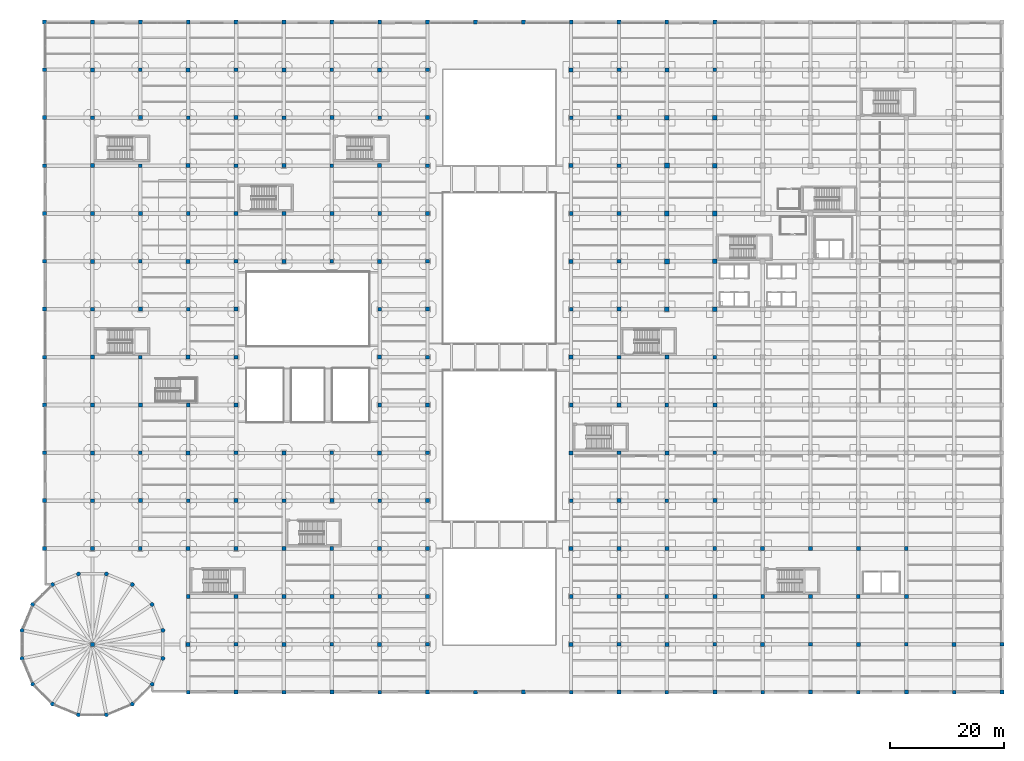
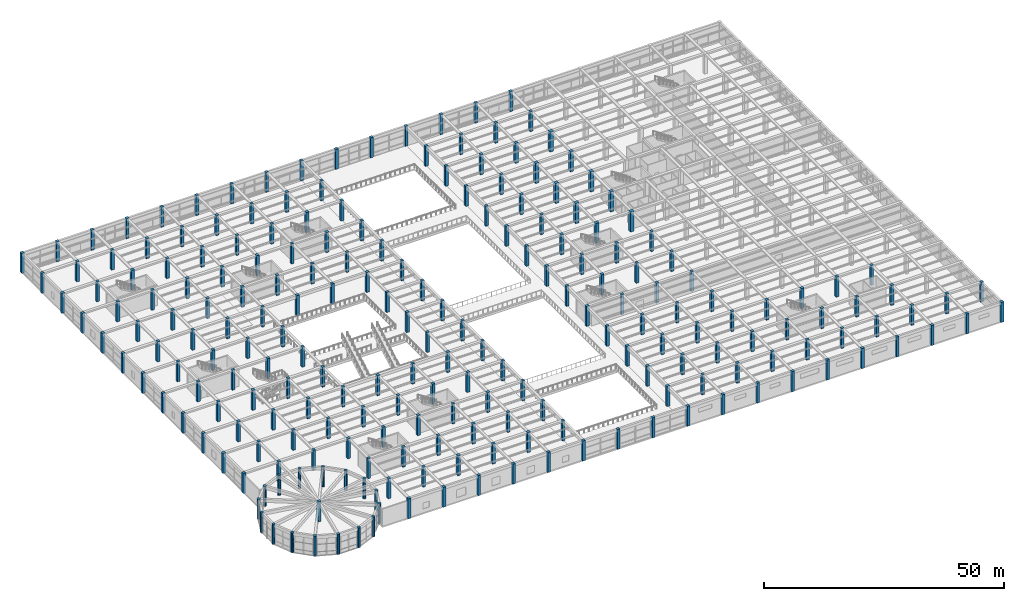
# One storey, part 1 of 95: 221 columns.
"""IFC4 building model written with IfcOpenShell, lengths in metres."""

from ifc_helpers import new_model, si_unit, direction, frame, origin, origin_2d, place, context, subcontext, project, spatial, rectangle, circle, extrude, material, material_profile, profile_set, type_object, element, save


model = new_model("IFC4")

# Units and contexts
model_context = context("Model", 3, precision=1e-05, world=origin(), true_north=direction((0.0, 1.0)))
body_context = subcontext(model_context, "Body", "Model", "MODEL_VIEW")
ifc_project = project(units=[si_unit("LENGTHUNIT", "METRE"), si_unit("AREAUNIT", "SQUARE_METRE"), si_unit("VOLUMEUNIT", "CUBIC_METRE"), si_unit("PLANEANGLEUNIT", "RADIAN"), si_unit("MASSUNIT", "GRAM", prefix="KILO")], contexts=[model_context])

# Site, building, storey
site_placement = place(None, origin())
site = spatial("IfcSite", under=ifc_project, at=site_placement, CompositionType="ELEMENT")
building_placement = place(site_placement, origin())
building = spatial("IfcBuilding", under=site, at=building_placement, Name="Almacenes y Pasaje Nevantli", CompositionType="ELEMENT")
storey_placement = place(building_placement, frame((0.0, 0.0, 11.39990234375)))
storey = spatial("IfcBuildingStorey", under=building, at=storey_placement, Name="L03", CompositionType="ELEMENT", Elevation=11.39990234375)

# Columns
ifc_material_1 = material(Name="Concrete C45/55", Category="concrete")
ifc_material_profile_1 = material_profile(ifc_material_1, rectangle(XDim=0.64990234375, YDim=0.64990234375, at=origin_2d()), Name="RC-COL-650x650")
ifc_profile_set_1 = profile_set([ifc_material_profile_1], Name="Concrete C45/55")
column_type_1 = type_object("IfcColumnType", Name="COL-RC-650", PredefinedType="COLUMN", material=ifc_profile_set_1)
for number, where, z_axis, x_axis, name in (
    (1, (0.0, 25.199951171875, 0.0), (0.0, 0.0, 1.0), (1.0, 0.0, 0.0), "L03 Reinforced Concrete Column CL-07 #1280"),
    (2, (0.0, 42.0, 0.0), (0.0, 0.0, 1.0), (1.0, 0.0, 0.0), "L03 Reinforced Concrete Column CL-07 #1282"),
    (3, (0.0, 58.800048828125, 0.0), (0.0, 0.0, 1.0), (1.0, 0.0, 0.0), "L03 Reinforced Concrete Column CL-07 #1284"),
    (4, (0.0, 75.60009765625, 0.0), (0.0, 0.0, 1.0), (1.0, 0.0, 0.0), "L03 Reinforced Concrete Column CL-07 #1286"),
    (5, (0.0, 92.39990234375, 0.0), (0.0, 0.0, 1.0), (1.0, 0.0, 0.0), "L03 Reinforced Concrete Column CL-07 #1288"),
    (6, (0.0, 109.199951171875, 0.0), (0.0, 0.0, 1.0), (1.0, 0.0, 0.0), "L03 Reinforced Concrete Column CL-07 #1290"),
    (7, (8.39990234375, 33.60009765625, 0.0), (0.0, 0.0, 1.0), (1.0, 0.0, 0.0), "L03 Reinforced Concrete Column CL-07 #1294"),
    (8, (8.39990234375, 50.39990234375, 0.0), (0.0, 0.0, 1.0), (1.0, 0.0, 0.0), "L03 Reinforced Concrete Column CL-07 #1296"),
    (9, (8.39990234375, 67.199951171875, 0.0), (0.0, 0.0, 1.0), (1.0, 0.0, 0.0), "L03 Reinforced Concrete Column CL-07 #1298"),
    (10, (8.39990234375, 84.0, 0.0), (0.0, 0.0, 1.0), (1.0, 0.0, 0.0), "L03 Reinforced Concrete Column CL-07 #1300"),
    (11, (8.39990234375, 100.800048828125, 0.0), (0.0, 0.0, 1.0), (1.0, 0.0, 0.0), "L03 Reinforced Concrete Column CL-07 #1302"),
    (12, (8.39990234375, 117.60009765625, 0.0), (0.0, 0.0, 1.0), (1.0, 0.0, 0.0), "L03 Reinforced Concrete Column CL-07 #1304"),
    (13, (16.800048828125, 25.199951171875, 0.0), (0.0, 0.0, 1.0), (1.0, 0.0, 0.0), "L03 Reinforced Concrete Column CL-07 #1305"),
    (14, (16.800048828125, 42.0, 0.0), (0.0, 0.0, 1.0), (1.0, 0.0, 0.0), "L03 Reinforced Concrete Column CL-07 #1307"),
    (15, (16.800048828125, 58.800048828125, 0.0), (0.0, 0.0, 1.0), (1.0, 0.0, 0.0), "L03 Reinforced Concrete Column CL-07 #1309"),
    (16, (16.800048828125, 75.60009765625, 0.0), (0.0, 0.0, 1.0), (1.0, 0.0, 0.0), "L03 Reinforced Concrete Column CL-07 #1311"),
    (17, (16.800048828125, 92.39990234375, 0.0), (0.0, 0.0, 1.0), (1.0, 0.0, 0.0), "L03 Reinforced Concrete Column CL-07 #1313"),
    (18, (16.800048828125, 109.199951171875, 0.0), (0.0, 0.0, 1.0), (1.0, 0.0, 0.0), "L03 Reinforced Concrete Column CL-07 #1315"),
    (19, (25.199951171875, 0.0, 0.0), (0.0, 0.0, 1.0), (1.0, 0.0, 0.0), "L03 Reinforced Concrete Column CL-07 #1317"),
    (20, (25.199951171875, 16.800048828125, 0.0), (0.0, 0.0, 1.0), (1.0, 0.0, 0.0), "L03 Reinforced Concrete Column CL-07 #1319"),
    (21, (25.199951171875, 33.60009765625, 0.0), (0.0, 0.0, 1.0), (1.0, 0.0, 0.0), "L03 Reinforced Concrete Column CL-07 #1321"),
    (22, (25.199951171875, 50.39990234375, 0.0), (0.0, 0.0, 1.0), (1.0, 0.0, 0.0), "L03 Reinforced Concrete Column CL-07 #1323"),
    (23, (25.199951171875, 67.199951171875, 0.0), (0.0, 0.0, 1.0), (1.0, 0.0, 0.0), "L03 Reinforced Concrete Column CL-07 #1325"),
    (24, (25.199951171875, 84.0, 0.0), (0.0, 0.0, 1.0), (1.0, 0.0, 0.0), "L03 Reinforced Concrete Column CL-07 #1327"),
    (25, (25.199951171875, 100.800048828125, 0.0), (0.0, 0.0, 1.0), (1.0, 0.0, 0.0), "L03 Reinforced Concrete Column CL-07 #1329"),
    (26, (25.199951171875, 117.60009765625, 0.0), (0.0, 0.0, 1.0), (1.0, 0.0, 0.0), "L03 Reinforced Concrete Column CL-07 #1331"),
    (27, (33.60009765625, 8.39990234375, 0.0), (0.0, 0.0, 1.0), (1.0, 0.0, 0.0), "L03 Reinforced Concrete Column CL-07 #1333"),
    (28, (33.60009765625, 25.199951171875, 0.0), (0.0, 0.0, 1.0), (1.0, 0.0, 0.0), "L03 Reinforced Concrete Column CL-07 #1335"),
    (29, (33.60009765625, 42.0, 0.0), (0.0, 0.0, 1.0), (1.0, 0.0, 0.0), "L03 Reinforced Concrete Column CL-07 #1337"),
    (30, (33.60009765625, 58.800048828125, 0.0), (0.0, 0.0, 1.0), (1.0, 0.0, 0.0), "L03 Reinforced Concrete Column CL-07 #1339"),
    (31, (33.60009765625, 75.60009765625, 0.0), (0.0, 0.0, 1.0), (1.0, 0.0, 0.0), "L03 Reinforced Concrete Column CL-07 #1341"),
    (32, (33.60009765625, 92.39990234375, 0.0), (0.0, 0.0, 1.0), (1.0, 0.0, 0.0), "L03 Reinforced Concrete Column CL-07 #1343"),
    (33, (33.60009765625, 109.199951171875, 0.0), (0.0, 0.0, 1.0), (1.0, 0.0, 0.0), "L03 Reinforced Concrete Column CL-07 #1345"),
    (34, (42.0, 0.0, 0.0), (0.0, 0.0, 1.0), (1.0, 0.0, 0.0), "L03 Reinforced Concrete Column CL-07 #1347"),
    (35, (42.0, 16.800048828125, 0.0), (0.0, 0.0, 1.0), (1.0, 0.0, 0.0), "L03 Reinforced Concrete Column CL-07 #1349"),
    (36, (42.0, 33.60009765625, 0.0), (0.0, 0.0, 1.0), (1.0, 0.0, 0.0), "L03 Reinforced Concrete Column CL-07 #1351"),
    (37, (42.0, 84.0, 0.0), (0.0, 0.0, 1.0), (1.0, 0.0, 0.0), "L03 Reinforced Concrete Column CL-07 #1354"),
    (38, (42.0, 100.800048828125, 0.0), (0.0, 0.0, 1.0), (1.0, 0.0, 0.0), "L03 Reinforced Concrete Column CL-07 #1356"),
    (39, (42.0, 117.60009765625, 0.0), (0.0, 0.0, 1.0), (1.0, 0.0, 0.0), "L03 Reinforced Concrete Column CL-07 #1358"),
    (40, (50.39990234375, 8.39990234375, 0.0), (0.0, 0.0, 1.0), (1.0, 0.0, 0.0), "L03 Reinforced Concrete Column CL-07 #1360"),
    (41, (50.39990234375, 25.199951171875, 0.0), (0.0, 0.0, 1.0), (1.0, 0.0, 0.0), "L03 Reinforced Concrete Column CL-07 #1362"),
    (42, (50.39990234375, 42.0, 0.0), (0.0, 0.0, 1.0), (1.0, 0.0, 0.0), "L03 Reinforced Concrete Column CL-07 #1364"),
    (43, (50.39990234375, 75.60009765625, 0.0), (0.0, 0.0, 1.0), (1.0, 0.0, 0.0), "L03 Reinforced Concrete Column CL-07 #1365"),
    (44, (50.39990234375, 92.39990234375, 0.0), (0.0, 0.0, 1.0), (1.0, 0.0, 0.0), "L03 Reinforced Concrete Column CL-07 #1367"),
    (45, (50.39990234375, 109.199951171875, 0.0), (0.0, 0.0, 1.0), (1.0, 0.0, 0.0), "L03 Reinforced Concrete Column CL-07 #1369"),
    (46, (58.800048828125, 0.0, 0.0), (0.0, 0.0, 1.0), (1.0, 0.0, 0.0), "L03 Reinforced Concrete Column CL-07 #1371"),
    (47, (58.800048828125, 16.800048828125, 0.0), (0.0, 0.0, 1.0), (1.0, 0.0, 0.0), "L03 Reinforced Concrete Column CL-07 #1373"),
    (48, (58.800048828125, 33.60009765625, 0.0), (0.0, 0.0, 1.0), (1.0, 0.0, 0.0), "L03 Reinforced Concrete Column CL-07 #1375"),
    (49, (58.800048828125, 50.39990234375, 0.0), (0.0, 0.0, 1.0), (1.0, 0.0, 0.0), "L03 Reinforced Concrete Column CL-07 #1377"),
    (50, (58.800048828125, 67.199951171875, 0.0), (0.0, 0.0, 1.0), (1.0, 0.0, 0.0), "L03 Reinforced Concrete Column CL-07 #1379"),
    (51, (58.800048828125, 84.0, 0.0), (0.0, 0.0, 1.0), (1.0, 0.0, 0.0), "L03 Reinforced Concrete Column CL-07 #1381"),
    (52, (58.800048828125, 100.800048828125, 0.0), (0.0, 0.0, 1.0), (1.0, 0.0, 0.0), "L03 Reinforced Concrete Column CL-07 #1383"),
    (53, (58.800048828125, 117.60009765625, 0.0), (0.0, 0.0, 1.0), (1.0, 0.0, 0.0), "L03 Reinforced Concrete Column CL-07 #1385"),
    (54, (67.199951171875, 8.39990234375, 0.0), (0.0, 0.0, 1.0), (1.0, 0.0, 0.0), "L03 Reinforced Concrete Column CL-07 #1387"),
    (55, (67.199951171875, 25.199951171875, 0.0), (0.0, 0.0, 1.0), (1.0, 0.0, 0.0), "L03 Reinforced Concrete Column CL-07 #1389"),
    (56, (67.199951171875, 42.0, 0.0), (0.0, 0.0, 1.0), (1.0, 0.0, 0.0), "L03 Reinforced Concrete Column CL-07 #1391"),
    (57, (67.199951171875, 58.800048828125, 0.0), (0.0, 0.0, 1.0), (1.0, 0.0, 0.0), "L03 Reinforced Concrete Column CL-07 #1393"),
    (58, (67.199951171875, 75.60009765625, 0.0), (0.0, 0.0, 1.0), (1.0, 0.0, 0.0), "L03 Reinforced Concrete Column CL-07 #1395"),
    (59, (67.199951171875, 92.39990234375, 0.0), (0.0, 0.0, 1.0), (1.0, 0.0, 0.0), "L03 Reinforced Concrete Column CL-07 #1397"),
    (60, (67.199951171875, 109.199951171875, 0.0), (0.0, 0.0, 1.0), (1.0, 0.0, 0.0), "L03 Reinforced Concrete Column CL-07 #1399"),
    (61, (75.60009765625, 0.0, 0.0), (0.0, 0.0, 1.0), (1.0, 0.0, 0.0), "L03 Reinforced Concrete Column CL-07 #1401"),
    (62, (75.60009765625, 117.60009765625, 0.0), (0.0, 0.0, 1.0), (1.0, 0.0, 0.0), "L03 Reinforced Concrete Column CL-07 #1402"),
    (63, (92.39990234375, 0.0, 0.0), (0.0, 0.0, 1.0), (1.0, 0.0, 0.0), "L03 Reinforced Concrete Column CL-07 #1405"),
    (64, (92.39990234375, 16.800048828125, 0.0), (0.0, 0.0, 1.0), (1.0, 0.0, 0.0), "L03 Reinforced Concrete Column CL-07 #1407"),
    (65, (92.39990234375, 33.60009765625, 0.0), (0.0, 0.0, 1.0), (1.0, 0.0, 0.0), "L03 Reinforced Concrete Column CL-07 #1409"),
    (66, (92.39990234375, 50.39990234375, 0.0), (0.0, 0.0, 1.0), (1.0, 0.0, 0.0), "L03 Reinforced Concrete Column CL-07 #1411"),
    (67, (92.39990234375, 67.199951171875, 0.0), (0.0, 0.0, 1.0), (1.0, 0.0, 0.0), "L03 Reinforced Concrete Column CL-07 #1413"),
    (68, (92.39990234375, 84.0, 0.0), (0.0, 0.0, 1.0), (1.0, 0.0, 0.0), "L03 Reinforced Concrete Column CL-07 #1415"),
    (69, (92.39990234375, 100.800048828125, 0.0), (0.0, 0.0, 1.0), (1.0, 0.0, 0.0), "L03 Reinforced Concrete Column CL-07 #1417"),
    (70, (92.39990234375, 117.60009765625, 0.0), (0.0, 0.0, 1.0), (1.0, 0.0, 0.0), "L03 Reinforced Concrete Column CL-07 #1419"),
    (71, (100.800048828125, 8.39990234375, 0.0), (0.0, 0.0, 1.0), (1.0, 0.0, 0.0), "L03 Reinforced Concrete Column CL-07 #1421"),
    (72, (100.800048828125, 25.199951171875, 0.0), (0.0, 0.0, 1.0), (1.0, 0.0, 0.0), "L03 Reinforced Concrete Column CL-07 #1423"),
    (73, (100.800048828125, 42.0, 0.0), (0.0, 0.0, 1.0), (1.0, 0.0, 0.0), "L03 Reinforced Concrete Column CL-07 #1425"),
    (74, (100.800048828125, 58.800048828125, 0.0), (0.0, 0.0, 1.0), (1.0, 0.0, 0.0), "L03 Reinforced Concrete Column CL-07 #1427"),
    (75, (100.800048828125, 75.60009765625, 0.0), (0.0, 0.0, 1.0), (1.0, 0.0, 0.0), "L03 Reinforced Concrete Column CL-07 #1429"),
    (76, (100.800048828125, 92.39990234375, 0.0), (0.0, 0.0, 1.0), (1.0, 0.0, 0.0), "L03 Reinforced Concrete Column CL-07 #1431"),
    (77, (100.800048828125, 109.199951171875, 0.0), (0.0, 0.0, 1.0), (1.0, 0.0, 0.0), "L03 Reinforced Concrete Column CL-07 #1433"),
    (78, (109.199951171875, 0.0, 0.0), (0.0, 0.0, 1.0), (1.0, 0.0, 0.0), "L03 Reinforced Concrete Column CL-07 #1435"),
    (79, (109.199951171875, 16.800048828125, 0.0), (0.0, 0.0, 1.0), (1.0, 0.0, 0.0), "L03 Reinforced Concrete Column CL-07 #1437"),
    (80, (109.199951171875, 33.60009765625, 0.0), (0.0, 0.0, 1.0), (1.0, 0.0, 0.0), "L03 Reinforced Concrete Column CL-07 #1439"),
    (81, (109.199951171875, 50.39990234375, 0.0), (0.0, 0.0, 1.0), (1.0, 0.0, 0.0), "L03 Reinforced Concrete Column CL-07 #1441"),
    (82, (109.199951171875, 117.60009765625, 0.0), (0.0, 0.0, 1.0), (1.0, 0.0, 0.0), "L03 Reinforced Concrete Column CL-07 #1449"),
    (83, (117.60009765625, 8.39990234375, 0.0), (0.0, 0.0, 1.0), (1.0, 0.0, 0.0), "L03 Reinforced Concrete Column CL-07 #1451"),
    (84, (117.60009765625, 25.199951171875, 0.0), (0.0, 0.0, 1.0), (1.0, 0.0, 0.0), "L03 Reinforced Concrete Column CL-07 #1453"),
    (85, (117.60009765625, 42.0, 0.0), (0.0, 0.0, 1.0), (1.0, 0.0, 0.0), "L03 Reinforced Concrete Column CL-07 #1455"),
    (86, (117.60009765625, 58.800048828125, 0.0), (0.0, 0.0, 1.0), (1.0, 0.0, 0.0), "L03 Reinforced Concrete Column CL-07 #1457"),
    (87, (117.60009765625, 109.199951171875, 0.0), (0.0, 0.0, 1.0), (1.0, 0.0, 0.0), "L03 Reinforced Concrete Column CL-07 #1463"),
    (88, (126.0, 0.0, 0.0), (0.0, 0.0, 1.0), (1.0, 0.0, 0.0), "L03 Reinforced Concrete Column CL-07 #1465"),
    (89, (126.0, 16.800048828125, 0.0), (0.0, 0.0, 1.0), (1.0, 0.0, 0.0), "L03 Reinforced Concrete Column CL-07 #1467"),
    (90, (134.39990234375, 8.39990234375, 0.0), (0.0, 0.0, 1.0), (1.0, 0.0, 0.0), "L03 Reinforced Concrete Column CL-07 #1481"),
    (91, (134.39990234375, 25.199951171875, 0.0), (0.0, 0.0, 1.0), (1.0, 0.0, 0.0), "L03 Reinforced Concrete Column CL-07 #1483"),
    (92, (142.800048828125, 0.0, 0.0), (0.0, 0.0, 1.0), (1.0, 0.0, 0.0), "L03 Reinforced Concrete Column CL-07 #1495"),
    (93, (142.800048828125, 16.800048828125, 0.0), (0.0, 0.0, 1.0), (1.0, 0.0, 0.0), "L03 Reinforced Concrete Column CL-07 #1497"),
    (94, (151.199951171875, 8.39990234375, 0.0), (0.0, 0.0, 1.0), (1.0, 0.0, 0.0), "L03 Reinforced Concrete Column CL-07 #1511"),
    (95, (151.199951171875, 25.199951171875, 0.0), (0.0, 0.0, 1.0), (1.0, 0.0, 0.0), "L03 Reinforced Concrete Column CL-07 #1513"),
    (96, (159.60009765625, 0.0, 0.0), (0.0, 0.0, 1.0), (1.0, 0.0, 0.0), "L03 Reinforced Concrete Column CL-07 #1525"),
    (97, (168.0, 8.39990234375, 0.0), (0.0, 0.0, 1.0), (1.0, 0.0, 0.0), "L03 Reinforced Concrete Column CL-07 #1541"),
):
    element("IfcColumn", number, at=place(storey_placement, frame(where, z_axis=z_axis, x_axis=x_axis)), inside=storey, type_object=column_type_1, Name=name, PredefinedType="COLUMN", context=body_context, shape_type="SweptSolid", body=[
        extrude(rectangle(XDim=0.64990234375, YDim=0.64990234375, at=origin_2d()), origin(), (0.0, 0.0, 1.0), 5.10009765625),
    ])
ifc_material_2 = material(Name="Concrete C45/55", Category="concrete")
ifc_material_profile_2 = material_profile(ifc_material_2, rectangle(XDim=0.699951171875, YDim=0.699951171875, at=origin_2d()), Name="RC-COL-700x700")
ifc_profile_set_2 = profile_set([ifc_material_profile_2], Name="Concrete C45/55")
column_type_2 = type_object("IfcColumnType", Name="COL-RC-700", PredefinedType="COLUMN", material=ifc_profile_set_2)
for number, where, z_axis, x_axis, name in (
    (98, (0.0, 33.60009765625, 0.0), (0.0, 0.0, 1.0), (1.0, 0.0, 0.0), "L03 Reinforced Concrete Column CL-06 #1281"),
    (99, (0.0, 50.39990234375, 0.0), (0.0, 0.0, 1.0), (1.0, 0.0, 0.0), "L03 Reinforced Concrete Column CL-06 #1283"),
    (100, (0.0, 67.199951171875, 0.0), (0.0, 0.0, 1.0), (1.0, 0.0, 0.0), "L03 Reinforced Concrete Column CL-06 #1285"),
    (101, (0.0, 84.0, 0.0), (0.0, 0.0, 1.0), (1.0, 0.0, 0.0), "L03 Reinforced Concrete Column CL-06 #1287"),
    (102, (0.0, 100.800048828125, 0.0), (0.0, 0.0, 1.0), (1.0, 0.0, 0.0), "L03 Reinforced Concrete Column CL-06 #1289"),
    (103, (0.0, 117.60009765625, 0.0), (0.0, 0.0, 1.0), (1.0, 0.0, 0.0), "L03 Reinforced Concrete Column CL-06 #1291"),
    (104, (8.39990234375, 8.39990234375, 0.0), (0.0, 0.0, 1.0), (1.0, 0.0, 0.0), "L03 Reinforced Concrete Column CL-06 #1292"),
    (105, (8.39990234375, 25.199951171875, 0.0), (0.0, 0.0, 1.0), (1.0, 0.0, 0.0), "L03 Reinforced Concrete Column CL-06 #1293"),
    (106, (8.39990234375, 42.0, 0.0), (0.0, 0.0, 1.0), (1.0, 0.0, 0.0), "L03 Reinforced Concrete Column CL-06 #1295"),
    (107, (8.39990234375, 58.800048828125, 0.0), (0.0, 0.0, 1.0), (1.0, 0.0, 0.0), "L03 Reinforced Concrete Column CL-06 #1297"),
    (108, (8.39990234375, 75.60009765625, 0.0), (0.0, 0.0, 1.0), (1.0, 0.0, 0.0), "L03 Reinforced Concrete Column CL-06 #1299"),
    (109, (8.39990234375, 92.39990234375, 0.0), (0.0, 0.0, 1.0), (1.0, 0.0, 0.0), "L03 Reinforced Concrete Column CL-06 #1301"),
    (110, (8.39990234375, 109.199951171875, 0.0), (0.0, 0.0, 1.0), (1.0, 0.0, 0.0), "L03 Reinforced Concrete Column CL-06 #1303"),
    (111, (16.800048828125, 33.60009765625, 0.0), (0.0, 0.0, 1.0), (1.0, 0.0, 0.0), "L03 Reinforced Concrete Column CL-06 #1306"),
    (112, (16.800048828125, 50.39990234375, 0.0), (0.0, 0.0, 1.0), (1.0, 0.0, 0.0), "L03 Reinforced Concrete Column CL-06 #1308"),
    (113, (16.800048828125, 67.199951171875, 0.0), (0.0, 0.0, 1.0), (1.0, 0.0, 0.0), "L03 Reinforced Concrete Column CL-06 #1310"),
    (114, (16.800048828125, 84.0, 0.0), (0.0, 0.0, 1.0), (1.0, 0.0, 0.0), "L03 Reinforced Concrete Column CL-06 #1312"),
    (115, (16.800048828125, 100.800048828125, 0.0), (0.0, 0.0, 1.0), (1.0, 0.0, 0.0), "L03 Reinforced Concrete Column CL-06 #1314"),
    (116, (16.800048828125, 117.60009765625, 0.0), (0.0, 0.0, 1.0), (1.0, 0.0, 0.0), "L03 Reinforced Concrete Column CL-06 #1316"),
    (117, (25.199951171875, 8.39990234375, 0.0), (0.0, 0.0, 1.0), (1.0, 0.0, 0.0), "L03 Reinforced Concrete Column CL-06 #1318"),
    (118, (25.199951171875, 25.199951171875, 0.0), (0.0, 0.0, 1.0), (1.0, 0.0, 0.0), "L03 Reinforced Concrete Column CL-06 #1320"),
    (119, (25.199951171875, 42.0, 0.0), (0.0, 0.0, 1.0), (1.0, 0.0, 0.0), "L03 Reinforced Concrete Column CL-06 #1322"),
    (120, (25.199951171875, 58.800048828125, 0.0), (0.0, 0.0, 1.0), (1.0, 0.0, 0.0), "L03 Reinforced Concrete Column CL-06 #1324"),
    (121, (25.199951171875, 75.60009765625, 0.0), (0.0, 0.0, 1.0), (1.0, 0.0, 0.0), "L03 Reinforced Concrete Column CL-06 #1326"),
    (122, (25.199951171875, 92.39990234375, 0.0), (0.0, 0.0, 1.0), (1.0, 0.0, 0.0), "L03 Reinforced Concrete Column CL-06 #1328"),
    (123, (25.199951171875, 109.199951171875, 0.0), (0.0, 0.0, 1.0), (1.0, 0.0, 0.0), "L03 Reinforced Concrete Column CL-06 #1330"),
    (124, (33.60009765625, 0.0, 0.0), (0.0, 0.0, 1.0), (1.0, 0.0, 0.0), "L03 Reinforced Concrete Column CL-06 #1332"),
    (125, (33.60009765625, 16.800048828125, 0.0), (0.0, 0.0, 1.0), (1.0, 0.0, 0.0), "L03 Reinforced Concrete Column CL-06 #1334"),
    (126, (33.60009765625, 33.60009765625, 0.0), (0.0, 0.0, 1.0), (1.0, 0.0, 0.0), "L03 Reinforced Concrete Column CL-06 #1336"),
    (127, (33.60009765625, 50.39990234375, 0.0), (0.0, 0.0, 1.0), (1.0, 0.0, 0.0), "L03 Reinforced Concrete Column CL-06 #1338"),
    (128, (33.60009765625, 67.199951171875, 0.0), (0.0, 0.0, 1.0), (1.0, 0.0, 0.0), "L03 Reinforced Concrete Column CL-06 #1340"),
    (129, (33.60009765625, 84.0, 0.0), (0.0, 0.0, 1.0), (1.0, 0.0, 0.0), "L03 Reinforced Concrete Column CL-06 #1342"),
    (130, (33.60009765625, 100.800048828125, 0.0), (0.0, 0.0, 1.0), (1.0, 0.0, 0.0), "L03 Reinforced Concrete Column CL-06 #1344"),
    (131, (33.60009765625, 117.60009765625, 0.0), (0.0, 0.0, 1.0), (1.0, 0.0, 0.0), "L03 Reinforced Concrete Column CL-06 #1346"),
    (132, (42.0, 8.39990234375, 0.0), (0.0, 0.0, 1.0), (1.0, 0.0, 0.0), "L03 Reinforced Concrete Column CL-06 #1348"),
    (133, (42.0, 25.199951171875, 0.0), (0.0, 0.0, 1.0), (1.0, 0.0, 0.0), "L03 Reinforced Concrete Column CL-06 #1350"),
    (134, (42.0, 42.0, 0.0), (0.0, 0.0, 1.0), (1.0, 0.0, 0.0), "L03 Reinforced Concrete Column CL-06 #1352"),
    (135, (42.0, 75.60009765625, 0.0), (0.0, 0.0, 1.0), (1.0, 0.0, 0.0), "L03 Reinforced Concrete Column CL-06 #1353"),
    (136, (42.0, 92.39990234375, 0.0), (0.0, 0.0, 1.0), (1.0, 0.0, 0.0), "L03 Reinforced Concrete Column CL-06 #1355"),
    (137, (42.0, 109.199951171875, 0.0), (0.0, 0.0, 1.0), (1.0, 0.0, 0.0), "L03 Reinforced Concrete Column CL-06 #1357"),
    (138, (50.39990234375, 0.0, 0.0), (0.0, 0.0, 1.0), (1.0, 0.0, 0.0), "L03 Reinforced Concrete Column CL-06 #1359"),
    (139, (50.39990234375, 16.800048828125, 0.0), (0.0, 0.0, 1.0), (1.0, 0.0, 0.0), "L03 Reinforced Concrete Column CL-06 #1361"),
    (140, (50.39990234375, 33.60009765625, 0.0), (0.0, 0.0, 1.0), (1.0, 0.0, 0.0), "L03 Reinforced Concrete Column CL-06 #1363"),
    (141, (50.39990234375, 84.0, 0.0), (0.0, 0.0, 1.0), (1.0, 0.0, 0.0), "L03 Reinforced Concrete Column CL-06 #1366"),
    (142, (50.39990234375, 100.800048828125, 0.0), (0.0, 0.0, 1.0), (1.0, 0.0, 0.0), "L03 Reinforced Concrete Column CL-06 #1368"),
    (143, (50.39990234375, 117.60009765625, 0.0), (0.0, 0.0, 1.0), (1.0, 0.0, 0.0), "L03 Reinforced Concrete Column CL-06 #1370"),
    (144, (58.800048828125, 8.39990234375, 0.0), (0.0, 0.0, 1.0), (1.0, 0.0, 0.0), "L03 Reinforced Concrete Column CL-06 #1372"),
    (145, (58.800048828125, 25.199951171875, 0.0), (0.0, 0.0, 1.0), (1.0, 0.0, 0.0), "L03 Reinforced Concrete Column CL-06 #1374"),
    (146, (58.800048828125, 42.0, 0.0), (0.0, 0.0, 1.0), (1.0, 0.0, 0.0), "L03 Reinforced Concrete Column CL-06 #1376"),
    (147, (58.800048828125, 58.800048828125, 0.0), (0.0, 0.0, 1.0), (1.0, 0.0, 0.0), "L03 Reinforced Concrete Column CL-06 #1378"),
    (148, (58.800048828125, 75.60009765625, 0.0), (0.0, 0.0, 1.0), (1.0, 0.0, 0.0), "L03 Reinforced Concrete Column CL-06 #1380"),
    (149, (58.800048828125, 92.39990234375, 0.0), (0.0, 0.0, 1.0), (1.0, 0.0, 0.0), "L03 Reinforced Concrete Column CL-06 #1382"),
    (150, (58.800048828125, 109.199951171875, 0.0), (0.0, 0.0, 1.0), (1.0, 0.0, 0.0), "L03 Reinforced Concrete Column CL-06 #1384"),
    (151, (67.199951171875, 0.0, 0.0), (0.0, 0.0, 1.0), (1.0, 0.0, 0.0), "L03 Reinforced Concrete Column CL-06 #1386"),
    (152, (67.199951171875, 16.800048828125, 0.0), (0.0, 0.0, 1.0), (1.0, 0.0, 0.0), "L03 Reinforced Concrete Column CL-06 #1388"),
    (153, (67.199951171875, 33.60009765625, 0.0), (0.0, 0.0, 1.0), (1.0, 0.0, 0.0), "L03 Reinforced Concrete Column CL-06 #1390"),
    (154, (67.199951171875, 50.39990234375, 0.0), (0.0, 0.0, 1.0), (1.0, 0.0, 0.0), "L03 Reinforced Concrete Column CL-06 #1392"),
    (155, (67.199951171875, 67.199951171875, 0.0), (0.0, 0.0, 1.0), (1.0, 0.0, 0.0), "L03 Reinforced Concrete Column CL-06 #1394"),
    (156, (67.199951171875, 84.0, 0.0), (0.0, 0.0, 1.0), (1.0, 0.0, 0.0), "L03 Reinforced Concrete Column CL-06 #1396"),
    (157, (67.199951171875, 100.800048828125, 0.0), (0.0, 0.0, 1.0), (1.0, 0.0, 0.0), "L03 Reinforced Concrete Column CL-06 #1398"),
    (158, (67.199951171875, 117.60009765625, 0.0), (0.0, 0.0, 1.0), (1.0, 0.0, 0.0), "L03 Reinforced Concrete Column CL-06 #1400"),
    (159, (84.0, 0.0, 0.0), (0.0, 0.0, 1.0), (1.0, 0.0, 0.0), "L03 Reinforced Concrete Column CL-06 #1403"),
    (160, (84.0, 117.60009765625, 0.0), (0.0, 0.0, 1.0), (1.0, 0.0, 0.0), "L03 Reinforced Concrete Column CL-06 #1404"),
    (161, (92.39990234375, 8.39990234375, 0.0), (0.0, 0.0, 1.0), (1.0, 0.0, 0.0), "L03 Reinforced Concrete Column CL-06 #1406"),
    (162, (92.39990234375, 25.199951171875, 0.0), (0.0, 0.0, 1.0), (1.0, 0.0, 0.0), "L03 Reinforced Concrete Column CL-06 #1408"),
    (163, (92.39990234375, 42.0, 0.0), (0.0, 0.0, 1.0), (1.0, 0.0, 0.0), "L03 Reinforced Concrete Column CL-06 #1410"),
    (164, (92.39990234375, 58.800048828125, 0.0), (0.0, 0.0, 1.0), (1.0, 0.0, 0.0), "L03 Reinforced Concrete Column CL-06 #1412"),
    (165, (92.39990234375, 75.60009765625, 0.0), (0.0, 0.0, 1.0), (1.0, 0.0, 0.0), "L03 Reinforced Concrete Column CL-06 #1414"),
    (166, (92.39990234375, 92.39990234375, 0.0), (0.0, 0.0, 1.0), (1.0, 0.0, 0.0), "L03 Reinforced Concrete Column CL-06 #1416"),
    (167, (92.39990234375, 109.199951171875, 0.0), (0.0, 0.0, 1.0), (1.0, 0.0, 0.0), "L03 Reinforced Concrete Column CL-06 #1418"),
    (168, (100.800048828125, 0.0, 0.0), (0.0, 0.0, 1.0), (1.0, 0.0, 0.0), "L03 Reinforced Concrete Column CL-06 #1420"),
    (169, (100.800048828125, 16.800048828125, 0.0), (0.0, 0.0, 1.0), (1.0, 0.0, 0.0), "L03 Reinforced Concrete Column CL-06 #1422"),
    (170, (100.800048828125, 33.60009765625, 0.0), (0.0, 0.0, 1.0), (1.0, 0.0, 0.0), "L03 Reinforced Concrete Column CL-06 #1424"),
    (171, (100.800048828125, 50.39990234375, 0.0), (0.0, 0.0, 1.0), (1.0, 0.0, 0.0), "L03 Reinforced Concrete Column CL-06 #1426"),
    (172, (100.800048828125, 67.199951171875, 0.0), (0.0, 0.0, 1.0), (1.0, 0.0, 0.0), "L03 Reinforced Concrete Column CL-06 #1428"),
    (173, (100.800048828125, 84.0, 0.0), (0.0, 0.0, 1.0), (1.0, 0.0, 0.0), "L03 Reinforced Concrete Column CL-06 #1430"),
    (174, (100.800048828125, 100.800048828125, 0.0), (0.0, 0.0, 1.0), (1.0, 0.0, 0.0), "L03 Reinforced Concrete Column CL-06 #1432"),
    (175, (100.800048828125, 117.60009765625, 0.0), (0.0, 0.0, 1.0), (1.0, 0.0, 0.0), "L03 Reinforced Concrete Column CL-06 #1434"),
    (176, (109.199951171875, 8.39990234375, 0.0), (0.0, 0.0, 1.0), (1.0, 0.0, 0.0), "L03 Reinforced Concrete Column CL-06 #1436"),
    (177, (109.199951171875, 25.199951171875, 0.0), (0.0, 0.0, 1.0), (1.0, 0.0, 0.0), "L03 Reinforced Concrete Column CL-06 #1438"),
    (178, (109.199951171875, 42.0, 0.0), (0.0, 0.0, 1.0), (1.0, 0.0, 0.0), "L03 Reinforced Concrete Column CL-06 #1440"),
    (179, (109.199951171875, 58.800048828125, 0.0), (0.0, 0.0, 1.0), (1.0, 0.0, 0.0), "L03 Reinforced Concrete Column CL-06 #1442"),
    (180, (109.199951171875, 109.199951171875, 0.0), (0.0, 0.0, 1.0), (1.0, 0.0, 0.0), "L03 Reinforced Concrete Column CL-06 #1448"),
    (181, (117.60009765625, 0.0, 0.0), (0.0, 0.0, 1.0), (1.0, 0.0, 0.0), "L03 Reinforced Concrete Column CL-06 #1450"),
    (182, (117.60009765625, 16.800048828125, 0.0), (0.0, 0.0, 1.0), (1.0, 0.0, 0.0), "L03 Reinforced Concrete Column CL-06 #1452"),
    (183, (117.60009765625, 33.60009765625, 0.0), (0.0, 0.0, 1.0), (1.0, 0.0, 0.0), "L03 Reinforced Concrete Column CL-06 #1454"),
    (184, (117.60009765625, 50.39990234375, 0.0), (0.0, 0.0, 1.0), (1.0, 0.0, 0.0), "L03 Reinforced Concrete Column CL-06 #1456"),
    (185, (117.60009765625, 117.60009765625, 0.0), (0.0, 0.0, 1.0), (1.0, 0.0, 0.0), "L03 Reinforced Concrete Column CL-06 #1464"),
    (186, (126.0, 8.39990234375, 0.0), (0.0, 0.0, 1.0), (1.0, 0.0, 0.0), "L03 Reinforced Concrete Column CL-06 #1466"),
    (187, (126.0, 25.199951171875, 0.0), (0.0, 0.0, 1.0), (1.0, 0.0, 0.0), "L03 Reinforced Concrete Column CL-06 #1468"),
    (188, (134.39990234375, 0.0, 0.0), (0.0, 0.0, 1.0), (1.0, 0.0, 0.0), "L03 Reinforced Concrete Column CL-06 #1480"),
    (189, (134.39990234375, 16.800048828125, 0.0), (0.0, 0.0, 1.0), (1.0, 0.0, 0.0), "L03 Reinforced Concrete Column CL-06 #1482"),
    (190, (142.800048828125, 8.39990234375, 0.0), (0.0, 0.0, 1.0), (1.0, 0.0, 0.0), "L03 Reinforced Concrete Column CL-06 #1496"),
    (191, (142.800048828125, 25.199951171875, 0.0), (0.0, 0.0, 1.0), (1.0, 0.0, 0.0), "L03 Reinforced Concrete Column CL-06 #1498"),
    (192, (151.199951171875, 0.0, 0.0), (0.0, 0.0, 1.0), (1.0, 0.0, 0.0), "L03 Reinforced Concrete Column CL-06 #1510"),
    (193, (151.199951171875, 16.800048828125, 0.0), (0.0, 0.0, 1.0), (1.0, 0.0, 0.0), "L03 Reinforced Concrete Column CL-06 #1512"),
    (194, (159.60009765625, 8.39990234375, 0.0), (0.0, 0.0, 1.0), (1.0, 0.0, 0.0), "L03 Reinforced Concrete Column CL-06 #1526"),
    (195, (168.0, 0.0, 0.0), (0.0, 0.0, 1.0), (1.0, 0.0, 0.0), "L03 Reinforced Concrete Column CL-06 #1540"),
):
    element("IfcColumn", number, at=place(storey_placement, frame(where, z_axis=z_axis, x_axis=x_axis)), inside=storey, type_object=column_type_2, Name=name, PredefinedType="COLUMN", context=body_context, shape_type="SweptSolid", body=[
        extrude(rectangle(XDim=0.699951171875, YDim=0.699951171875, at=origin_2d()), origin(), (0.0, 0.0, 1.0), 5.10009765625),
    ])
ifc_material_3 = material(Name="Concrete C45/55", Category="concrete")
ifc_material_profile_3 = material_profile(ifc_material_3, rectangle(XDim=0.800048828125, YDim=0.800048828125, at=origin_2d()), Name="RC-COL-800x800")
ifc_profile_set_3 = profile_set([ifc_material_profile_3], Name="Concrete C45/55")
column_type_3 = type_object("IfcColumnType", Name="COL-RC-800", PredefinedType="COLUMN", material=ifc_profile_set_3)
for number, where, z_axis, x_axis, name in (
    (196, (109.199951171875, 67.199951171875, 0.0), (0.0, 0.0, 1.0), (1.0, 0.0, 0.0), "L03 Reinforced Concrete Column CL-04 #1443"),
    (197, (109.199951171875, 84.0, 0.0), (0.0, 0.0, 1.0), (1.0, 0.0, 0.0), "L03 Reinforced Concrete Column CL-04 #1445"),
    (198, (109.199951171875, 100.800048828125, 0.0), (0.0, 0.0, 1.0), (1.0, 0.0, 0.0), "L03 Reinforced Concrete Column CL-04 #1447"),
    (199, (117.60009765625, 75.60009765625, 0.0), (0.0, 0.0, 1.0), (1.0, 0.0, 0.0), "L03 Reinforced Concrete Column CL-04 #1459"),
    (200, (117.60009765625, 92.39990234375, 0.0), (0.0, 0.0, 1.0), (1.0, 0.0, 0.0), "L03 Reinforced Concrete Column CL-04 #1461"),
):
    element("IfcColumn", number, at=place(storey_placement, frame(where, z_axis=z_axis, x_axis=x_axis)), inside=storey, type_object=column_type_3, Name=name, PredefinedType="COLUMN", context=body_context, shape_type="SweptSolid", body=[
        extrude(rectangle(XDim=0.800048828125, YDim=0.800048828125, at=origin_2d()), origin(), (0.0, 0.0, 1.0), 5.10009765625),
    ])
ifc_material_4 = material(Name="Concrete C45/55", Category="concrete")
ifc_material_profile_4 = material_profile(ifc_material_4, rectangle(XDim=0.85009765625, YDim=0.85009765625, at=origin_2d()), Name="RC-COL-850x850")
ifc_profile_set_4 = profile_set([ifc_material_profile_4], Name="Concrete C45/55")
column_type_4 = type_object("IfcColumnType", Name="COL-RC-850", PredefinedType="COLUMN", material=ifc_profile_set_4)
for number, where, z_axis, x_axis, name in (
    (201, (109.199951171875, 75.60009765625, 0.0), (0.0, 0.0, 1.0), (1.0, 0.0, 0.0), "L03 Reinforced Concrete Column CL-03 #1444"),
    (202, (109.199951171875, 92.39990234375, 0.0), (0.0, 0.0, 1.0), (1.0, 0.0, 0.0), "L03 Reinforced Concrete Column CL-03 #1446"),
    (203, (117.60009765625, 67.199951171875, 0.0), (0.0, 0.0, 1.0), (1.0, 0.0, 0.0), "L03 Reinforced Concrete Column CL-03 #1458"),
    (204, (117.60009765625, 84.0, 0.0), (0.0, 0.0, 1.0), (1.0, 0.0, 0.0), "L03 Reinforced Concrete Column CL-03 #1460"),
    (205, (117.60009765625, 100.800048828125, 0.0), (0.0, 0.0, 1.0), (1.0, 0.0, 0.0), "L03 Reinforced Concrete Column CL-03 #1462"),
):
    element("IfcColumn", number, at=place(storey_placement, frame(where, z_axis=z_axis, x_axis=x_axis)), inside=storey, type_object=column_type_4, Name=name, PredefinedType="COLUMN", context=body_context, shape_type="SweptSolid", body=[
        extrude(rectangle(XDim=0.85009765625, YDim=0.85009765625, at=origin_2d()), origin(), (0.0, 0.0, 1.0), 5.10009765625),
    ])
ifc_material_5 = material(Name="Concrete C45/55", Category="concrete")
ifc_material_profile_5 = material_profile(ifc_material_5, circle(Radius=0.35009765625, at=origin_2d()), Name="RC-COL-D700")
ifc_profile_set_5 = profile_set([ifc_material_profile_5], Name="Concrete C45/55")
column_type_5 = type_object("IfcColumnType", Name="COL-RC-D700", PredefinedType="COLUMN", material=ifc_profile_set_5)
for number, where, z_axis, x_axis, name in (
    (206, (20.7578125, 10.858154296875, 0.0), (0.0, 0.0, 1.0), (1.0, 0.0, 0.0), "L03 Corner Rotunda Circular Column CR-01"),
    (207, (18.87646484375, 15.400146484375, 0.0), (0.0, 0.0, 1.0), (1.0, 0.0, 0.0), "L03 Corner Rotunda Circular Column CR-02"),
    (208, (15.400146484375, 18.87646484375, 0.0), (0.0, 0.0, 1.0), (1.0, 0.0, 0.0), "L03 Corner Rotunda Circular Column CR-03"),
    (209, (10.858154296875, 20.7578125, 0.0), (0.0, 0.0, 1.0), (1.0, 0.0, 0.0), "L03 Corner Rotunda Circular Column CR-04"),
    (210, (5.94189453125, 20.7578125, 0.0), (0.0, 0.0, 1.0), (1.0, 0.0, 0.0), "L03 Corner Rotunda Circular Column CR-05"),
    (211, (1.39990234375, 18.87646484375, 0.0), (0.0, 0.0, 1.0), (1.0, 0.0, 0.0), "L03 Corner Rotunda Circular Column CR-06"),
    (212, (-2.076416015625, 15.400146484375, 0.0), (0.0, 0.0, 1.0), (1.0, 0.0, 0.0), "L03 Corner Rotunda Circular Column CR-07"),
    (213, (-3.9580078125, 10.858154296875, 0.0), (0.0, 0.0, 1.0), (1.0, 0.0, 0.0), "L03 Corner Rotunda Circular Column CR-08"),
    (214, (-3.9580078125, 5.94189453125, 0.0), (0.0, 0.0, 1.0), (1.0, 0.0, 0.0), "L03 Corner Rotunda Circular Column CR-09"),
    (215, (-2.076416015625, 1.39990234375, 0.0), (0.0, 0.0, 1.0), (1.0, 0.0, 0.0), "L03 Corner Rotunda Circular Column CR-10"),
    (216, (1.39990234375, -2.076416015625, 0.0), (0.0, 0.0, 1.0), (1.0, 0.0, 0.0), "L03 Corner Rotunda Circular Column CR-11"),
    (217, (5.94189453125, -3.9580078125, 0.0), (0.0, 0.0, 1.0), (1.0, 0.0, 0.0), "L03 Corner Rotunda Circular Column CR-12"),
    (218, (10.858154296875, -3.9580078125, 0.0), (0.0, 0.0, 1.0), (1.0, 0.0, 0.0), "L03 Corner Rotunda Circular Column CR-13"),
    (219, (15.400146484375, -2.076416015625, 0.0), (0.0, 0.0, 1.0), (1.0, 0.0, 0.0), "L03 Corner Rotunda Circular Column CR-14"),
    (220, (18.87646484375, 1.39990234375, 0.0), (0.0, 0.0, 1.0), (1.0, 0.0, 0.0), "L03 Corner Rotunda Circular Column CR-15"),
    (221, (20.7578125, 5.94189453125, 0.0), (0.0, 0.0, 1.0), (1.0, 0.0, 0.0), "L03 Corner Rotunda Circular Column CR-16"),
):
    element("IfcColumn", number, at=place(storey_placement, frame(where, z_axis=z_axis, x_axis=x_axis)), inside=storey, type_object=column_type_5, Name=name, PredefinedType="COLUMN", context=body_context, shape_type="SweptSolid", body=[
        extrude(circle(Radius=0.35009765625, at=origin_2d()), origin(), (0.0, 0.0, 1.0), 5.10009765625),
    ])

save(model, "model.ifc")
